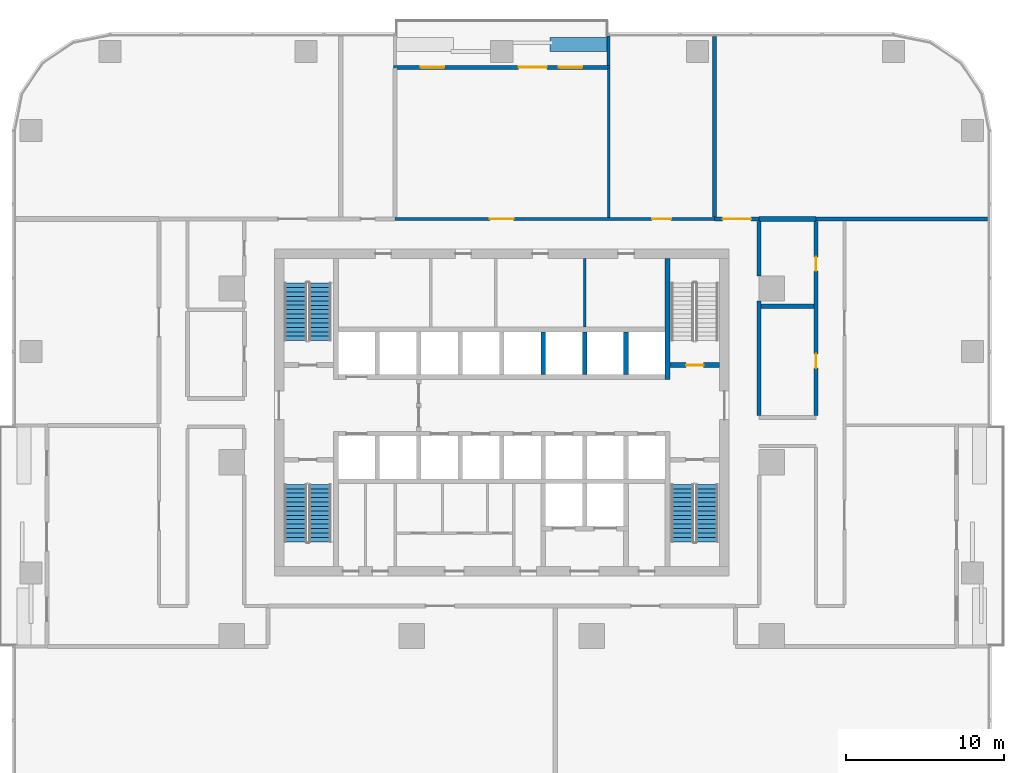
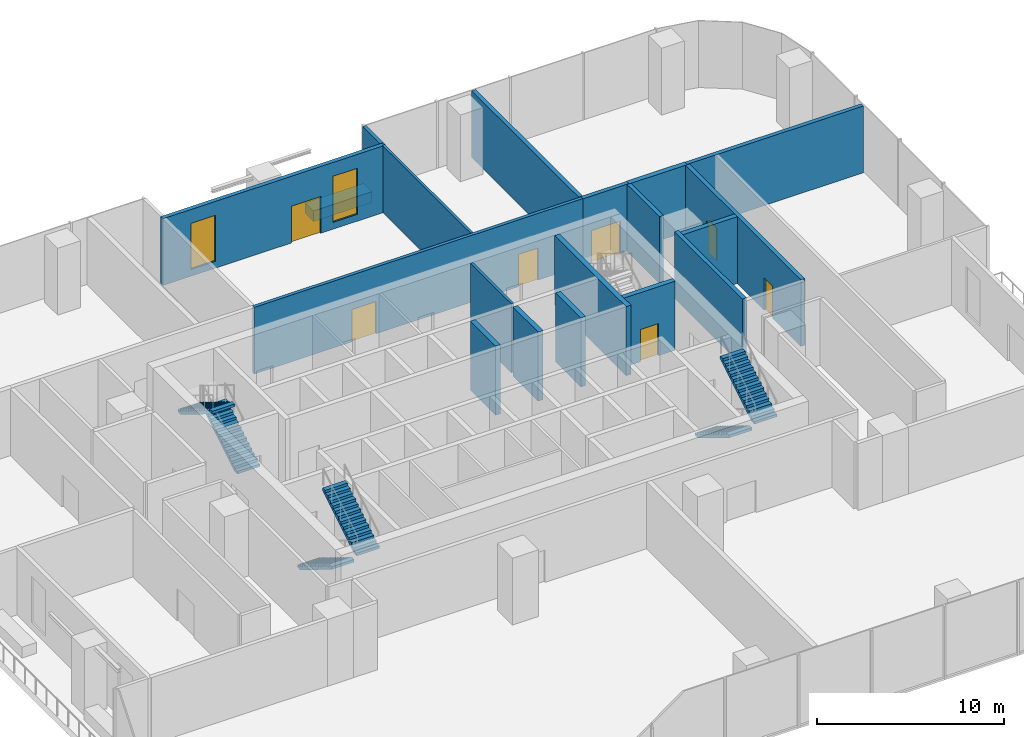
# One storey, part 10 of 14: 19 walls, 7 doors, 6 stair flights, 2 windows, 9 openings, 3 elements without a shape of their own.
"""IFC4 building model written with IfcOpenShell, lengths in metres."""

import ifcopenshell
import ifcopenshell.guid

model = None  # the IFC model being written
_history = None  # IfcOwnerHistory: only IFC2X3 demands one
_inside = {}  # id of a spatial element -> (the spatial element, [elements in it])
_under = {}  # id of a project, library or spatial element -> (it, [spatial elements below it])
_declared = {}  # id of a project -> (the project, [libraries it declares])
_typed = {}  # id of a type object -> (the type object, [elements of that type])
_made_of = {}  # id of a material, layer set ... -> (it, [elements and type objects made of it])


def new_model(schema):
    """Start an empty IFC model of exactly this schema.

    Asked for "IFC4X3", IfcOpenShell would pick the latest addendum, in which some entities
    have other attributes; the version numbers below select the first issue.
    IFC2X3 requires an IfcOwnerHistory on every rooted entity: one is made here for all.
    """
    global model, _history
    if schema == "IFC4X3":
        model = ifcopenshell.file(schema_version=(4, 3, 0, 0))
    else:
        model = ifcopenshell.file(schema=schema)
    _inside.clear()
    _under.clear()
    _declared.clear()
    _typed.clear()
    _made_of.clear()
    _history = None
    if model.schema == "IFC2X3":
        org = make("IfcOrganization", Name="unknown")
        user = make(
            "IfcPersonAndOrganization",
            ThePerson=make("IfcPerson", FamilyName="unknown"),
            TheOrganization=org,
        )
        app = make(
            "IfcApplication",
            ApplicationDeveloper=org,
            Version="unknown",
            ApplicationFullName="unknown",
            ApplicationIdentifier="unknown",
        )
        _history = make(
            "IfcOwnerHistory",
            OwningUser=user,
            OwningApplication=app,
            ChangeAction="ADDED",
            CreationDate=0,
        )
    return model


def make(cls, **values):
    """One entity of the class cls with the attributes given. An attribute that is None is left unset."""
    return model.create_entity(
        cls, **{name: value for name, value in values.items() if value is not None}
    )


def rooted(cls, **values):
    """An entity with a GlobalId (a new one), such as an element, a storey or a relation."""
    return make(cls, GlobalId=ifcopenshell.guid.new(), OwnerHistory=_history, **values)


def si_unit(unit_type, name, prefix=None):
    """IfcSIUnit, for example si_unit("LENGTHUNIT", "METRE", prefix="MILLI")."""
    return make("IfcSIUnit", UnitType=unit_type, Prefix=prefix, Name=name)


def assignment(units):
    """IfcUnitAssignment: the units of a project."""
    return None if units is None else make("IfcUnitAssignment", Units=units)


def point(xyz):
    """IfcCartesianPoint."""
    return None if xyz is None else make("IfcCartesianPoint", Coordinates=xyz)


def direction(xyz):
    """IfcDirection."""
    return None if xyz is None else make("IfcDirection", DirectionRatios=xyz)


def frame(location, z_axis=None, x_axis=None):
    """IfcAxis2Placement3D, a coordinate frame: its origin and axes. An axis left out is left unset."""
    return make(
        "IfcAxis2Placement3D",
        Location=point(location),
        Axis=direction(z_axis),
        RefDirection=direction(x_axis),
    )


def frame_2d(location, x_axis=None):
    """IfcAxis2Placement2D, a coordinate frame in the plane: its origin and x axis."""
    return make(
        "IfcAxis2Placement2D", Location=point(location), RefDirection=direction(x_axis)
    )


def origin():
    """The frame at (0, 0, 0) with its axes left unset."""
    return frame((0.0, 0.0, 0.0))


def place(relative_to, where):
    """IfcLocalPlacement: puts the frame where relative to a parent placement (None: the world)."""
    return make(
        "IfcLocalPlacement", PlacementRelTo=relative_to, RelativePlacement=where
    )


def context(
    kind, dimensions, precision=None, world=None, true_north=None, identifier=None
):
    """IfcGeometricRepresentationContext, for example the 3D "Model" context."""
    return make(
        "IfcGeometricRepresentationContext",
        ContextIdentifier=identifier,
        ContextType=kind,
        CoordinateSpaceDimension=dimensions,
        Precision=precision,
        WorldCoordinateSystem=world,
        TrueNorth=true_north,
    )


def subcontext(parent, identifier, kind, view, scale=None):
    """IfcGeometricRepresentationSubContext, for example "Body" below "Model"."""
    return make(
        "IfcGeometricRepresentationSubContext",
        ContextIdentifier=identifier,
        ContextType=kind,
        ParentContext=parent,
        TargetScale=scale,
        TargetView=view,
    )


def project(units=None, contexts=None):
    """IfcProject with its units and contexts."""
    return rooted(
        "IfcProject",
        Name="project",
        RepresentationContexts=contexts,
        UnitsInContext=assignment(units),
    )


def spatial(cls, under=None, at=None, **own):
    """A site, building, storey or space (cls), placed at a placement, below another one or the project."""
    s = rooted(cls, ObjectPlacement=at, **own)
    if under is not None:
        _under.setdefault(under.id(), (under, []))[1].append(s)
    return s


def polyline(points):
    """IfcPolyline through the points."""
    return make("IfcPolyline", Points=[point(p) for p in points])


def profile(cls, at=None, kind="AREA", **sizes):
    """A parametric profile (cls). Its sizes go by their IFC names, for example OverallWidth=200.0."""
    return make(cls, ProfileType=kind, Position=at, **sizes)


def rectangle(**sizes):
    """IfcRectangleProfileDef."""
    return profile("IfcRectangleProfileDef", **sizes)


def outline(outer, holes=None, kind="AREA"):
    """IfcArbitraryClosedProfileDef: a profile drawn as a closed curve; with holes, ...WithVoids."""
    if holes is None:
        return make("IfcArbitraryClosedProfileDef", ProfileType=kind, OuterCurve=outer)
    return make(
        "IfcArbitraryProfileDefWithVoids",
        ProfileType=kind,
        OuterCurve=outer,
        InnerCurves=holes,
    )


def extrude(swept, where, along, depth):
    """IfcExtrudedAreaSolid: the profile swept, set in the frame where, extruded along a direction by depth."""
    return make(
        "IfcExtrudedAreaSolid",
        SweptArea=swept,
        Position=where,
        ExtrudedDirection=direction(along),
        Depth=depth,
    )


def shape(context_of_items, identifier, shape_type, items):
    """IfcShapeRepresentation: the items that make up one representation, for example the "Body"."""
    return make(
        "IfcShapeRepresentation",
        ContextOfItems=context_of_items,
        RepresentationIdentifier=identifier,
        RepresentationType=shape_type,
        Items=items,
    )


def material(Name=None, Category=None):
    """IfcMaterial."""
    return make("IfcMaterial", Name=Name, Category=Category)


def layer(
    of_material, thickness, ventilated=None, Name=None, Category=None, Priority=None
):
    """IfcMaterialLayer: one layer of a wall or slab, of a material (None: an air gap)."""
    return make(
        "IfcMaterialLayer",
        Material=of_material,
        LayerThickness=thickness,
        IsVentilated=ventilated,
        Name=Name,
        Category=Category,
        Priority=Priority,
    )


def layer_set(layers, Name=None):
    """IfcMaterialLayerSet."""
    return make("IfcMaterialLayerSet", MaterialLayers=layers, LayerSetName=Name)


def made_of(thing, what):
    """Note that an element or type object is made of a material, layer set ...; save() writes the relation."""
    if what is not None:
        _made_of.setdefault(what.id(), (what, []))[1].append(thing)
    return thing


def type_object(cls, material=None, **own):
    """A type object (cls), such as IfcWallType, which elements share."""
    return made_of(rooted(cls, **own), material)


def element(
    cls,
    number,
    at=None,
    inside=None,
    cuts=None,
    type_object=None,
    material=None,
    context=None,
    identifier="Body",
    shape_type=None,
    held_by="IfcProductDefinitionShape",
    body=None,
    shapes=None,
    **own,
):
    """One element of the class cls, such as IfcWall. Its Tag is "e" and its number.

    at: its placement. inside: the storey or other place that contains it. cuts: it is an
    opening in that element (IfcRelVoidsElement). A single representation is given by context,
    identifier, shape_type and body (its items); several are given by shapes. held_by: the class
    of the entity that holds the representations. save() writes the other relations.
    """
    e = rooted(cls, Tag="e%d" % number, ObjectPlacement=at, **own)
    if body is not None:
        shapes = [shape(context, identifier, shape_type, body)]
    if shapes is not None:
        e.Representation = make(held_by, Representations=shapes)
    if inside is not None:
        _inside.setdefault(inside.id(), (inside, []))[1].append(e)
    if cuts is not None:
        rooted(
            "IfcRelVoidsElement", RelatingBuildingElement=cuts, RelatedOpeningElement=e
        )
    if type_object is not None:
        _typed.setdefault(type_object.id(), (type_object, []))[1].append(e)
    return made_of(e, material)


def fill(opening, filler):
    """IfcRelFillsElement: the door or window that sits in an opening."""
    return rooted(
        "IfcRelFillsElement",
        RelatingOpeningElement=opening,
        RelatedBuildingElement=filler,
    )


def aggregate(whole, parts):
    """IfcRelAggregates: a whole, such as a stair, and the parts it consists of."""
    return rooted("IfcRelAggregates", RelatingObject=whole, RelatedObjects=parts)


def save(model, path):
    """Write the relations noted so far, then the file.

    IfcRelAggregates (storeys below a building ...), IfcRelContainedInSpatialStructure (elements
    in a storey), IfcRelDefinesByType, IfcRelAssociatesMaterial and IfcRelDeclares: one each for
    every whole, place, type object, material and project.
    """
    for whole, parts in _under.values():
        aggregate(whole, parts)
    for where, things in _inside.values():
        rooted(
            "IfcRelContainedInSpatialStructure",
            RelatedElements=things,
            RelatingStructure=where,
        )
    for kind, things in _typed.values():
        rooted("IfcRelDefinesByType", RelatedObjects=things, RelatingType=kind)
    for what, things in _made_of.values():
        rooted("IfcRelAssociatesMaterial", RelatedObjects=things, RelatingMaterial=what)
    for by, libraries in _declared.values():
        rooted("IfcRelDeclares", RelatingContext=by, RelatedDefinitions=libraries)
    model.write(path)


model = new_model("IFC4")

# Units and contexts
model_context = context("Model", 3, precision=1e-05, world=origin(), true_north=direction((0.0, 1.0)))
body_context = subcontext(model_context, "Body", "Model", "MODEL_VIEW")
ifc_project = project(units=[si_unit("LENGTHUNIT", "METRE"), si_unit("AREAUNIT", "SQUARE_METRE"), si_unit("VOLUMEUNIT", "CUBIC_METRE"), si_unit("PLANEANGLEUNIT", "RADIAN"), si_unit("MASSUNIT", "GRAM", prefix="KILO")], contexts=[model_context])

# Site, building, storey
site_placement = place(None, origin())
site = spatial("IfcSite", under=ifc_project, at=site_placement, CompositionType="ELEMENT")
building_placement = place(site_placement, origin())
building = spatial("IfcBuilding", under=site, at=building_placement, Name="Mopane Tessera Tower", CompositionType="ELEMENT")
storey_placement = place(building_placement, frame((0.0, 0.0, 35.800048828125)))
storey = spatial("IfcBuildingStorey", under=building, at=storey_placement, Name="L06", CompositionType="ELEMENT", Elevation=35.800048828125)

# Walls
ifc_material_1 = material(Name="Fire-rated gypsum board partition")
ifc_layer_1 = layer(ifc_material_1, 0.14990234375)
ifc_layer_set_1 = layer_set([ifc_layer_1], Name="Fire-rated gypsum board partition")
wall_type_1 = type_object("IfcWallType", Name="Core room partition 150 mm", PredefinedType="PARTITIONING", material=ifc_layer_set_1)
wall_1_placement = place(storey_placement, frame((5.25, 8.550048828125, 0.0), z_axis=(0.0, 0.0, 1.0), x_axis=(0.0, 1.0, 0.0)))
element("IfcWall", 1, at=wall_1_placement, inside=storey, type_object=wall_type_1, Name="L06 Room partition", PredefinedType="PARTITIONING", context=body_context, shape_type="SweptSolid", body=[
    extrude(rectangle(XDim=4.349853515625, YDim=0.14990234375, at=frame_2d((2.1748046875, 0.0))), origin(), (0.0, 0.0, 1.0), 4.5),
])
ifc_material_2 = material(Name="Concrete C60/75", Category="concrete")
ifc_layer_2 = layer(ifc_material_2, 0.300048828125)
ifc_layer_set_2 = layer_set([ifc_layer_2], Name="Concrete C60/75")
wall_type_2 = type_object("IfcWallType", Name="Core spine wall 300 mm", PredefinedType="SHEAR", material=ifc_layer_set_2)
wall_2_placement = place(storey_placement, frame((10.5, 5.25, 0.0), z_axis=(0.0, 0.0, 1.0), x_axis=(0.0, 1.0, 0.0)))
element("IfcWall", 2, at=wall_2_placement, inside=storey, type_object=wall_type_2, Name="L06 Core spine wall", PredefinedType="SHEAR", context=body_context, shape_type="SweptSolid", body=[
    extrude(rectangle(XDim=7.64990234375, YDim=0.300048828125, at=frame_2d((3.824951171875, 0.0))), origin(), (0.0, 0.0, 1.0), 4.5),
])

# Wall, openings, doors
ifc_material_3 = material(Name="Gypsum board on steel studs, two layers each face, mineral wool infill", Category="steel")
ifc_layer_3 = layer(ifc_material_3, 0.199951171875)
ifc_layer_set_3 = layer_set([ifc_layer_3], Name="Gypsum board on steel studs, two layers each face, mineral wool infill")
wall_type_3 = type_object("IfcWallType", Name="Gypsum board corridor wall 200, rated EI 60", PredefinedType="PARTITIONING", material=ifc_layer_set_3)
wall_3_placement = place(storey_placement, frame((-6.764892578125, 15.39990234375, 0.0), z_axis=(0.0, 0.0, 1.0), x_axis=(1.0, 0.0, 0.0)))
wall_3 = element("IfcWall", 3, at=wall_3_placement, inside=storey, type_object=wall_type_3, Name="Partition L06:017", PredefinedType="PARTITIONING", context=body_context, shape_type="SweptSolid", body=[
    extrude(rectangle(XDim=20.244873046875, YDim=0.199951171875, at=frame_2d((10.12255859375, 0.0))), origin(), (0.0, 0.0, 1.0), 4.349853515625),
])
opening_1_placement = place(wall_3_placement, frame((6.014892578125, 0.0, 0.0)))
opening_1 = element("IfcOpeningElement", 4, at=opening_1_placement, cuts=wall_3, Name="Opening L06-04", PredefinedType="OPENING", context=body_context, shape_type="SweptSolid", body=[
    extrude(rectangle(XDim=1.5, YDim=2.10009765625, at=frame_2d((0.75, 1.050048828125))), frame((0.0, 0.112060546875, 0.0), z_axis=(0.0, -1.0, 0.0), x_axis=(1.0, 0.0, 0.0)), (0.0, 0.0, 1.0), 0.223876953125),
])
opening_2_placement = place(wall_3_placement, frame((16.28759765625, 0.0, 0.0)))
opening_2 = element("IfcOpeningElement", 5, at=opening_2_placement, cuts=wall_3, Name="Opening L06-15", PredefinedType="OPENING", context=body_context, shape_type="SweptSolid", body=[
    extrude(rectangle(XDim=1.199951171875, YDim=2.10009765625, at=frame_2d((0.60009765625, 1.050048828125))), frame((0.0, 0.112060546875, 0.0), z_axis=(0.0, -1.0, 0.0), x_axis=(1.0, 0.0, 0.0)), (0.0, 0.0, 1.0), 0.223876953125),
])
ifc_material_4 = material(Name="Timber veneered steel-framed fire door", Category="steel")
door_type_1 = type_object("IfcDoorType", Name="Fire door FD60 1200 x 2100", OperationType="SINGLE_SWING_LEFT", PredefinedType="DOOR", material=ifc_material_4)
door_1_placement = place(opening_2_placement, origin())
door_1 = element("IfcDoor", 6, at=door_1_placement, inside=storey, type_object=door_type_1, Name="Door L06-15", ObjectType="D15A", OperationType="SINGLE_SWING_RIGHT", OverallHeight=2.10009765625, OverallWidth=1.199951171875, PredefinedType="DOOR", context=body_context, shape_type="SweptSolid", body=[
    extrude(rectangle(XDim=1.199951171875, YDim=2.10009765625, at=frame_2d((0.60009765625, 1.050048828125))), frame((0.0, 0.02490234375, 0.0), z_axis=(0.0, -1.0, 0.0), x_axis=(1.0, 0.0, 0.0)), (0.0, 0.0, 1.0), 0.050048828125),
])
fill(opening_2, door_1)
ifc_material_5 = material(Name="Timber veneered steel-framed fire door", Category="steel")
door_type_2 = type_object("IfcDoorType", Name="Fire door pair FD60 1500 x 2100", OperationType="DOUBLE_DOOR_SINGLE_SWING", PredefinedType="DOOR", material=ifc_material_5)
door_2_placement = place(opening_1_placement, origin())
door_2 = element("IfcDoor", 7, at=door_2_placement, inside=storey, type_object=door_type_2, Name="Door L06-04", ObjectType="D17A", OperationType="DOUBLE_DOOR_SINGLE_SWING", OverallHeight=2.10009765625, OverallWidth=1.5, PredefinedType="DOOR", context=body_context, shape_type="SweptSolid", body=[
    extrude(rectangle(XDim=1.5, YDim=2.10009765625, at=frame_2d((0.75, 1.050048828125))), frame((0.0, 0.02490234375, 0.0), z_axis=(0.0, -1.0, 0.0), x_axis=(1.0, 0.0, 0.0)), (0.0, 0.0, 1.0), 0.050048828125),
])
fill(opening_1, door_2)

# Wall
ifc_material_6 = material(Name="Gypsum board on steel studs, mineral wool infill", Category="steel")
ifc_layer_4 = layer(ifc_material_6, 0.14990234375)
ifc_layer_set_4 = layer_set([ifc_layer_4], Name="Gypsum board on steel studs, mineral wool infill")
wall_type_4 = type_object("IfcWallType", Name="Gypsum board partition 150, rated EI 60", PredefinedType="PARTITIONING", material=ifc_layer_set_4)
wall_4_placement = place(storey_placement, frame((6.764892578125, 15.5, 0.0), z_axis=(0.0, 0.0, 1.0), x_axis=(0.0, 1.0, 0.0)))
element("IfcWall", 8, at=wall_4_placement, inside=storey, type_object=wall_type_4, Name="Partition L06:037", PredefinedType="PARTITIONING", context=body_context, shape_type="SweptSolid", body=[
    extrude(rectangle(XDim=9.449951171875, YDim=0.14990234375, at=frame_2d((4.72509765625, 0.0))), origin(), (0.0, 0.0, 1.0), 4.349853515625),
])

# Wall, opening, door
ifc_material_7 = material(Name="Concrete C50/60", Category="concrete")
ifc_layer_5 = layer(ifc_material_7, 0.300048828125)
ifc_layer_set_5 = layer_set([ifc_layer_5], Name="Concrete C50/60")
wall_type_5 = type_object("IfcWallType", Name="Lift and stair shaft wall 300 mm", PredefinedType="SOLIDWALL", material=ifc_layer_set_5)
wall_5_placement = place(storey_placement, frame((10.64990234375, 6.14990234375, 0.0), z_axis=(0.0, 0.0, 1.0), x_axis=(1.0, 0.0, 0.0)))
wall_5 = element("IfcWall", 9, at=wall_5_placement, inside=storey, type_object=wall_type_5, Name="L06 Stair enclosure wall", PredefinedType="SOLIDWALL", context=body_context, shape_type="SweptSolid", body=[
    extrude(rectangle(XDim=3.150146484375, YDim=0.300048828125, at=frame_2d((1.5751953125, 0.0))), origin(), (0.0, 0.0, 1.0), 4.5),
])
opening_3_placement = place(wall_5_placement, frame((1.02490234375, 0.0, 0.0)))
opening_3 = element("IfcOpeningElement", 10, at=opening_3_placement, cuts=wall_5, Name="Opening SD1", PredefinedType="OPENING", context=body_context, shape_type="SweptSolid", body=[
    extrude(rectangle(XDim=1.10009765625, YDim=2.10009765625, at=frame_2d((0.550048828125, 1.050048828125))), frame((0.0, 0.162109375, 0.0), z_axis=(0.0, -1.0, 0.0), x_axis=(1.0, 0.0, 0.0)), (0.0, 0.0, 1.0), 0.323974609375),
])
ifc_material_8 = material(Name="Steel fire door", Category="steel")
door_type_3 = type_object("IfcDoorType", Name="Stair fire door 1100 x 2100", OperationType="SINGLE_SWING_LEFT", PredefinedType="DOOR", material=ifc_material_8)
door_3_placement = place(opening_3_placement, origin())
door_3 = element("IfcDoor", 11, at=door_3_placement, inside=storey, type_object=door_type_3, Name="L06 Stair door ST4", OperationType="SINGLE_SWING_RIGHT", OverallHeight=2.10009765625, OverallWidth=1.10009765625, PredefinedType="DOOR", context=body_context, shape_type="SweptSolid", body=[
    extrude(rectangle(XDim=1.10009765625, YDim=2.10009765625, at=frame_2d((0.550048828125, 1.050048828125))), frame((0.0, 0.02490234375, 0.0), z_axis=(0.0, -1.0, 0.0), x_axis=(1.0, 0.0, 0.0)), (0.0, 0.0, 1.0), 0.050048828125),
])
fill(opening_3, door_3)

# Walls
for number, where, z_axis, x_axis, name in (
    (12, (2.625, 5.550048828125, 0.0), (0.0, 0.0, 1.0), (0.0, 1.0, 0.0), "L06 Lift shaft wall"),
    (13, (5.25, 5.550048828125, 0.0), (0.0, 0.0, 1.0), (0.0, 1.0, 0.0), "L06 Lift shaft wall"),
    (14, (7.875, 5.550048828125, 0.0), (0.0, 0.0, 1.0), (0.0, 1.0, 0.0), "L06 Lift shaft wall"),
):
    element("IfcWall", number, at=place(storey_placement, frame(where, z_axis=z_axis, x_axis=x_axis)), inside=storey, type_object=wall_type_5, Name=name, PredefinedType="SOLIDWALL", context=body_context, shape_type="SweptSolid", body=[
        extrude(rectangle(XDim=2.699951171875, YDim=0.300048828125, at=frame_2d((1.35009765625, 0.0))), origin(), (0.0, 0.0, 1.0), 4.5),
    ])
ifc_material_9 = material(Name="Reinforced concrete C32/40 with waterproofing", Category="concrete")
ifc_layer_6 = layer(ifc_material_9, 0.89990234375)
ifc_layer_set_6 = layer_set([ifc_layer_6], Name="Reinforced concrete C32/40 with waterproofing")
wall_type_6 = type_object("IfcWallType", Name="Planter trough 3600 x 900", PredefinedType="STANDARD", material=ifc_layer_set_6)
wall_6_placement = place(storey_placement, frame((6.66357421875, 26.449951171875, 0.0), z_axis=(0.0, 0.0, 1.0), x_axis=(-1.0, 0.0, 0.0)))
element("IfcWall", 15, at=wall_6_placement, inside=storey, type_object=wall_type_6, Name="e:nw:L06:N2:pl0", PredefinedType="STANDARD", context=body_context, shape_type="SweptSolid", body=[
    extrude(rectangle(XDim=3.599853515625, YDim=0.89990234375, at=frame_2d((1.7998046875, 0.0))), origin(), (0.0, 0.0, 1.0), 0.699951171875),
])
ifc_material_10 = material(Name="Plastered concrete blockwork C20/25", Category="masonry")
ifc_layer_7 = layer(ifc_material_10, 0.300048828125)
ifc_layer_set_7 = layer_set([ifc_layer_7], Name="Plastered concrete blockwork C20/25")
wall_type_7 = type_object("IfcWallType", Name="Plastered blockwork separation wall 300, rated EI 120", PredefinedType="PARTITIONING", material=ifc_layer_set_7)
wall_7_placement = place(storey_placement, frame((16.425048828125, 9.8701171875, 0.0), z_axis=(0.0, 0.0, 1.0), x_axis=(1.0, 0.0, 0.0)))
element("IfcWall", 16, at=wall_7_placement, inside=storey, type_object=wall_type_7, Name="Partition L06:016", PredefinedType="PARTITIONING", context=body_context, shape_type="SweptSolid", body=[
    extrude(rectangle(XDim=3.349853515625, YDim=0.300048828125, at=frame_2d((1.6748046875, 0.0))), origin(), (0.0, 0.0, 1.0), 4.349853515625),
])
wall_8_placement = place(storey_placement, frame((16.300048828125, 15.39990234375, 0.0), z_axis=(0.0, 0.0, 1.0), x_axis=(1.0, 0.0, 0.0)))
element("IfcWall", 17, at=wall_8_placement, inside=storey, type_object=wall_type_7, Name="Partition L06:022", PredefinedType="PARTITIONING", context=body_context, shape_type="SweptSolid", body=[
    extrude(rectangle(XDim=3.599853515625, YDim=0.300048828125, at=frame_2d((1.7998046875, 0.0))), origin(), (0.0, 0.0, 1.0), 4.349853515625),
])

# Wall, opening, door
ifc_material_11 = material(Name="Plastered concrete blockwork C20/25", Category="masonry")
ifc_layer_8 = layer(ifc_material_11, 0.25)
ifc_layer_set_8 = layer_set([ifc_layer_8], Name="Plastered concrete blockwork C20/25")
wall_type_8 = type_object("IfcWallType", Name="Plastered blockwork wall 250, rated EI 120", PredefinedType="PARTITIONING", material=ifc_layer_set_8)
wall_9_placement = place(storey_placement, frame((13.47998046875, 15.39990234375, 0.0), z_axis=(0.0, 0.0, 1.0), x_axis=(1.0, 0.0, 0.0)))
wall_9 = element("IfcWall", 18, at=wall_9_placement, inside=storey, type_object=wall_type_8, Name="Partition L06:019", PredefinedType="PARTITIONING", context=body_context, shape_type="SweptSolid", body=[
    extrude(rectangle(XDim=2.820068359375, YDim=0.25, at=frame_2d((1.41015625, 0.0))), origin(), (0.0, 0.0, 1.0), 4.349853515625),
])
opening_4_placement = place(wall_9_placement, frame((0.510009765625, 0.0, 0.0)))
opening_4 = element("IfcOpeningElement", 19, at=opening_4_placement, cuts=wall_9, Name="Opening L06-12", PredefinedType="OPENING", context=body_context, shape_type="SweptSolid", body=[
    extrude(rectangle(XDim=1.800048828125, YDim=2.10009765625, at=frame_2d((0.89990234375, 1.050048828125))), frame((0.0, 0.136962890625, 0.0), z_axis=(0.0, -1.0, 0.0), x_axis=(1.0, 0.0, 0.0)), (0.0, 0.0, 1.0), 0.27392578125),
])
ifc_material_12 = material(Name="Timber veneered steel-framed fire door", Category="steel")
door_type_4 = type_object("IfcDoorType", Name="Fire door pair FD120 1800 x 2100", OperationType="DOUBLE_DOOR_SINGLE_SWING", PredefinedType="DOOR", material=ifc_material_12)
door_4_placement = place(opening_4_placement, origin())
door_4 = element("IfcDoor", 20, at=door_4_placement, inside=storey, type_object=door_type_4, Name="Door L06-12", ObjectType="D20B", OperationType="DOUBLE_DOOR_SINGLE_SWING", OverallHeight=2.10009765625, OverallWidth=1.800048828125, PredefinedType="DOOR", context=body_context, shape_type="SweptSolid", body=[
    extrude(rectangle(XDim=1.800048828125, YDim=2.10009765625, at=frame_2d((0.89990234375, 1.050048828125))), frame((0.0, 0.02490234375, 0.0), z_axis=(0.0, -1.0, 0.0), x_axis=(1.0, 0.0, 0.0)), (0.0, 0.0, 1.0), 0.050048828125),
])
fill(opening_4, door_4)

# Walls
wall_10_placement = place(storey_placement, frame((19.89990234375, 15.39990234375, 0.0), z_axis=(0.0, 0.0, 1.0), x_axis=(1.0, 0.0, 0.0)))
element("IfcWall", 21, at=wall_10_placement, inside=storey, type_object=wall_type_8, Name="Partition L06:020", PredefinedType="PARTITIONING", context=body_context, shape_type="SweptSolid", body=[
    extrude(rectangle(XDim=10.85009765625, YDim=0.25, at=frame_2d((5.425048828125, 0.0))), origin(), (0.0, 0.0, 1.0), 4.349853515625),
])
wall_11_placement = place(storey_placement, frame((13.47998046875, 15.52490234375, 0.0), z_axis=(0.0, 0.0, 1.0), x_axis=(0.0, 1.0, 0.0)))
element("IfcWall", 22, at=wall_11_placement, inside=storey, type_object=wall_type_8, Name="Partition L06:038", PredefinedType="PARTITIONING", context=body_context, shape_type="SweptSolid", body=[
    extrude(rectangle(XDim=11.425048828125, YDim=0.25, at=frame_2d((5.71240234375, 0.0))), origin(), (0.0, 0.0, 1.0), 4.349853515625),
])
wall_12_placement = place(storey_placement, frame((16.300048828125, 2.949951171875, 0.0), z_axis=(0.0, 0.0, 1.0), x_axis=(0.0, 1.0, 0.0)))
element("IfcWall", 23, at=wall_12_placement, inside=storey, type_object=wall_type_8, Name="Partition L06:041", PredefinedType="PARTITIONING", context=body_context, shape_type="SweptSolid", body=[
    extrude(rectangle(XDim=7.25, YDim=0.25, at=frame_2d((3.625, 0.0))), origin(), (0.0, 0.0, 1.0), 4.349853515625),
])
wall_13_placement = place(storey_placement, frame((16.300048828125, 11.800048828125, 0.0), z_axis=(0.0, 0.0, 1.0), x_axis=(0.0, 1.0, 0.0)))
element("IfcWall", 24, at=wall_13_placement, inside=storey, type_object=wall_type_8, Name="Partition L06:042", PredefinedType="PARTITIONING", context=body_context, shape_type="SweptSolid", body=[
    extrude(rectangle(XDim=3.449951171875, YDim=0.25, at=frame_2d((1.72509765625, 0.0))), origin(), (0.0, 0.0, 1.0), 4.349853515625),
])

# Wall, openings, doors
wall_14_placement = place(storey_placement, frame((19.89990234375, 2.949951171875, 0.0), z_axis=(0.0, 0.0, 1.0), x_axis=(0.0, 1.0, 0.0)))
wall_14 = element("IfcWall", 25, at=wall_14_placement, inside=storey, type_object=wall_type_8, Name="Partition L06:044", PredefinedType="PARTITIONING", context=body_context, shape_type="SweptSolid", body=[
    extrude(rectangle(XDim=12.300048828125, YDim=0.25, at=frame_2d((6.14990234375, 0.0))), origin(), (0.0, 0.0, 1.0), 4.349853515625),
])
opening_5_placement = place(wall_14_placement, frame((9.159912109375, 0.0, 0.0)))
opening_5 = element("IfcOpeningElement", 26, at=opening_5_placement, cuts=wall_14, Name="Opening L06-02", PredefinedType="OPENING", context=body_context, shape_type="SweptSolid", body=[
    extrude(rectangle(XDim=0.89990234375, YDim=2.10009765625, at=frame_2d((0.449951171875, 1.050048828125))), frame((0.0, 0.136962890625, 0.0), z_axis=(0.0, -1.0, 0.0), x_axis=(1.0, 0.0, 0.0)), (0.0, 0.0, 1.0), 0.27392578125),
])
opening_6_placement = place(wall_14_placement, frame((3.010009765625, 0.0, 0.0)))
opening_6 = element("IfcOpeningElement", 27, at=opening_6_placement, cuts=wall_14, Name="Opening L06-11", PredefinedType="OPENING", context=body_context, shape_type="SweptSolid", body=[
    extrude(rectangle(XDim=0.89990234375, YDim=2.10009765625, at=frame_2d((0.449951171875, 1.050048828125))), frame((0.0, 0.136962890625, 0.0), z_axis=(0.0, -1.0, 0.0), x_axis=(1.0, 0.0, 0.0)), (0.0, 0.0, 1.0), 0.27392578125),
])
ifc_material_13 = material(Name="Timber veneered steel-framed fire door", Category="steel")
door_type_5 = type_object("IfcDoorType", Name="Fire door FD120 900 x 2100", OperationType="SINGLE_SWING_LEFT", PredefinedType="DOOR", material=ifc_material_13)
door_5_placement = place(opening_5_placement, origin())
door_5 = element("IfcDoor", 28, at=door_5_placement, inside=storey, type_object=door_type_5, Name="Door L06-02", ObjectType="D10B", OperationType="SINGLE_SWING_RIGHT", OverallHeight=2.10009765625, OverallWidth=0.89990234375, PredefinedType="DOOR", context=body_context, shape_type="SweptSolid", body=[
    extrude(rectangle(XDim=0.89990234375, YDim=2.10009765625, at=frame_2d((0.449951171875, 1.050048828125))), frame((0.0, 0.02490234375, 0.0), z_axis=(0.0, -1.0, 0.0), x_axis=(1.0, 0.0, 0.0)), (0.0, 0.0, 1.0), 0.050048828125),
])
fill(opening_5, door_5)
door_6_placement = place(opening_6_placement, origin())
door_6 = element("IfcDoor", 29, at=door_6_placement, inside=storey, type_object=door_type_5, Name="Door L06-11", ObjectType="D10B", OperationType="SINGLE_SWING_LEFT", OverallHeight=2.10009765625, OverallWidth=0.89990234375, PredefinedType="DOOR", context=body_context, shape_type="SweptSolid", body=[
    extrude(rectangle(XDim=0.89990234375, YDim=2.10009765625, at=frame_2d((0.449951171875, 1.050048828125))), frame((0.0, 0.02490234375, 0.0), z_axis=(0.0, -1.0, 0.0), x_axis=(1.0, 0.0, 0.0)), (0.0, 0.0, 1.0), 0.050048828125),
])
fill(opening_6, door_6)

# Wall
ifc_material_14 = material(Name="Blockwork with glazed tile facing", Category="masonry")
ifc_layer_9 = layer(ifc_material_14, 0.199951171875)
ifc_layer_set_9 = layer_set([ifc_layer_9], Name="Blockwork with glazed tile facing")
wall_type_9 = type_object("IfcWallType", Name="Terrace cheek wall 200", PredefinedType="STANDARD", material=ifc_layer_set_9)
wall_15_placement = place(storey_placement, frame((6.763671875, 27.0, 0.0), z_axis=(0.0, 0.0, 1.0), x_axis=(0.0, -1.0, 0.0)))
element("IfcWall", 30, at=wall_15_placement, inside=storey, type_object=wall_type_9, Name="e:nw:L06:N2:cheeka", PredefinedType="STANDARD", context=body_context, shape_type="SweptSolid", body=[
    extrude(rectangle(XDim=1.875, YDim=0.199951171875, at=frame_2d((0.9375, 0.0))), origin(), (0.0, 0.0, 1.0), 4.349853515625),
])

# Wall, openings, windows, door
ifc_material_15 = material(Name="Blockwork with ultramarine glazed tile facing", Category="masonry")
ifc_layer_10 = layer(ifc_material_15, 0.25)
ifc_layer_set_10 = layer_set([ifc_layer_10], Name="Blockwork with ultramarine glazed tile facing")
wall_type_10 = type_object("IfcWallType", Name="Tile-clad external wall 250, ultramarine", PredefinedType="STANDARD", material=ifc_layer_set_10)
wall_16_placement = place(storey_placement, frame((6.863525390625, 25.0, 0.0), z_axis=(0.0, 0.0, 1.0), x_axis=(-1.0, 0.0, 0.0)))
wall_16 = element("IfcWall", 31, at=wall_16_placement, inside=storey, type_object=wall_type_10, Name="e:nw:L06:N2:back", PredefinedType="STANDARD", context=body_context, shape_type="SweptSolid", body=[
    extrude(rectangle(XDim=13.72705078125, YDim=0.25, at=frame_2d((6.863525390625, 0.0))), origin(), (0.0, 0.0, 1.0), 4.349853515625),
])
opening_7_placement = place(wall_16_placement, frame((1.75, 0.0, 0.449951171875)))
opening_7 = element("IfcOpeningElement", 32, at=opening_7_placement, cuts=wall_16, Name="Opening NW062A", PredefinedType="OPENING", context=body_context, shape_type="SweptSolid", body=[
    extrude(rectangle(XDim=1.5, YDim=3.0, at=frame_2d((0.75, 1.5))), frame((0.0, 0.136962890625, 0.0), z_axis=(0.0, -1.0, 0.0), x_axis=(1.0, 0.0, 0.0)), (0.0, 0.0, 1.0), 0.27392578125),
])
opening_8_placement = place(wall_16_placement, frame((4.0, 0.0, 0.0)))
opening_8 = element("IfcOpeningElement", 33, at=opening_8_placement, cuts=wall_16, Name="Opening ND062", PredefinedType="OPENING", context=body_context, shape_type="SweptSolid", body=[
    extrude(rectangle(XDim=1.800048828125, YDim=2.39990234375, at=frame_2d((0.89990234375, 1.199951171875))), frame((0.0, 0.136962890625, 0.0), z_axis=(0.0, -1.0, 0.0), x_axis=(1.0, 0.0, 0.0)), (0.0, 0.0, 1.0), 0.27392578125),
])
opening_9_placement = place(wall_16_placement, frame((10.5, 0.0, 0.449951171875)))
opening_9 = element("IfcOpeningElement", 34, at=opening_9_placement, cuts=wall_16, Name="Opening NW062B", PredefinedType="OPENING", context=body_context, shape_type="SweptSolid", body=[
    extrude(rectangle(XDim=1.5, YDim=3.0, at=frame_2d((0.75, 1.5))), frame((0.0, 0.136962890625, 0.0), z_axis=(0.0, -1.0, 0.0), x_axis=(1.0, 0.0, 0.0)), (0.0, 0.0, 1.0), 0.27392578125),
])
ifc_material_16 = material(Name="Clear laminated glass", Category="glass")
window_type = type_object("IfcWindowType", Name="Fixed window 1500 x 3000", PartitioningType="SINGLE_PANEL", PredefinedType="WINDOW", material=ifc_material_16)
window_1_placement = place(opening_7_placement, origin())
window_1 = element("IfcWindow", 35, at=window_1_placement, inside=storey, type_object=window_type, Name="e:nw:L06:N2:win0", OverallHeight=3.0, OverallWidth=1.5, PartitioningType="SINGLE_PANEL", PredefinedType="WINDOW", context=body_context, shape_type="SweptSolid", body=[
    extrude(rectangle(XDim=1.5, YDim=3.0, at=frame_2d((0.75, 1.5))), frame((0.0, 0.030029296875, 0.0), z_axis=(0.0, -1.0, 0.0), x_axis=(1.0, 0.0, 0.0)), (0.0, 0.0, 1.0), 0.06005859375),
])
fill(opening_7, window_1)
window_2_placement = place(opening_9_placement, origin())
window_2 = element("IfcWindow", 36, at=window_2_placement, inside=storey, type_object=window_type, Name="e:nw:L06:N2:win2", OverallHeight=3.0, OverallWidth=1.5, PartitioningType="SINGLE_PANEL", PredefinedType="WINDOW", context=body_context, shape_type="SweptSolid", body=[
    extrude(rectangle(XDim=1.5, YDim=3.0, at=frame_2d((0.75, 1.5))), frame((0.0, 0.030029296875, 0.0), z_axis=(0.0, -1.0, 0.0), x_axis=(1.0, 0.0, 0.0)), (0.0, 0.0, 1.0), 0.06005859375),
])
fill(opening_9, window_2)
ifc_material_17 = material(Name="Aluminium and clear glass", Category="aluminium")
door_type_6 = type_object("IfcDoorType", Name="Terrace double door 1800 x 2400", OperationType="DOUBLE_DOOR_SINGLE_SWING", PredefinedType="DOOR", material=ifc_material_17)
door_7_placement = place(opening_8_placement, origin())
door_7 = element("IfcDoor", 37, at=door_7_placement, inside=storey, type_object=door_type_6, Name="e:nw:L06:N2:door", ObjectType="D1", OperationType="DOUBLE_DOOR_SINGLE_SWING", OverallHeight=2.39990234375, OverallWidth=1.800048828125, PredefinedType="DOOR", context=body_context, shape_type="SweptSolid", body=[
    extrude(rectangle(XDim=1.800048828125, YDim=2.39990234375, at=frame_2d((0.89990234375, 1.199951171875))), frame((0.0, 0.02490234375, 0.0), z_axis=(0.0, -1.0, 0.0), x_axis=(1.0, 0.0, 0.0)), (0.0, 0.0, 1.0), 0.050048828125),
])
fill(opening_8, door_7)

# Stair, stair flights
ifc_material_18 = material(Name="Concrete C50/60", Category="concrete")
stair_type = type_object("IfcStairType", Name="Escape stair 1400 mm, riser 171 mm", PredefinedType="HALF_TURN_STAIR", material=ifc_material_18)
stair_1_placement = place(storey_placement, origin())
stair_1 = element("IfcStair", 38, at=stair_1_placement, inside=storey, type_object=stair_type, Name="L06 Escape stair south-west", PredefinedType="HALF_TURN_STAIR")
ifc_material_19 = material(Name="Concrete C50/60", Category="concrete")
stair_flight_type = type_object("IfcStairFlightType", Name="Escape stair flight 1400 mm", PredefinedType="STRAIGHT", material=ifc_material_19)
stair_flight_1_placement = place(storey_placement, frame((-13.050048828125, -1.39990234375, 0.0), z_axis=(0.0, 0.0, 1.0), x_axis=(0.0, -1.0, 0.0)))
stair_flight_1 = element("IfcStairFlight", 39, at=stair_flight_1_placement, type_object=stair_flight_type, Name="ST1 flight 1", NumberOfRisers=14, NumberOfTreads=13, PredefinedType="STRAIGHT", RiserHeight=0.171428571, TreadLength=0.28, context=body_context, shape_type="SweptSolid", body=[
    extrude(outline(polyline([(0.0, 0.0), (0.0, 0.17138671875), (0.280029296875, 0.17138671875), (0.280029296875, 0.3427734375), (0.56005859375, 0.3427734375), (0.56005859375, 0.514404296875), (0.840087890625, 0.514404296875), (0.840087890625, 0.685791015625), (1.1201171875, 0.685791015625), (1.1201171875, 0.857177734375), (1.39990234375, 0.857177734375), (1.39990234375, 1.028564453125), (1.679931640625, 1.028564453125), (1.679931640625, 1.199951171875), (1.9599609375, 1.199951171875), (1.9599609375, 1.371337890625), (2.239990234375, 1.371337890625), (2.239990234375, 1.54296875), (2.52001953125, 1.54296875), (2.52001953125, 1.71435546875), (2.800048828125, 1.71435546875), (2.800048828125, 1.8857421875), (3.080078125, 1.8857421875), (3.080078125, 2.05712890625), (3.360107421875, 2.05712890625), (3.360107421875, 2.228515625), (3.639892578125, 2.228515625), (3.639892578125, 2.39990234375), (3.639892578125, 2.052734375), (0.287109375, 0.0), (0.0, 0.0)])), frame((0.0, 0.699951171875, 0.0), z_axis=(0.0, -1.0, 0.0), x_axis=(1.0, 0.0, 0.0)), (0.0, 0.0, 1.0), 1.39990234375),
])
stair_flight_2_placement = place(storey_placement, frame((-11.5, -5.0400390625, 2.39990234375), z_axis=(0.0, 0.0, 1.0), x_axis=(0.0, 1.0, 0.0)))
stair_flight_2 = element("IfcStairFlight", 40, at=stair_flight_2_placement, type_object=stair_flight_type, Name="ST1 flight 2", NumberOfRisers=14, NumberOfTreads=13, PredefinedType="STRAIGHT", RiserHeight=0.171428571, TreadLength=0.28, context=body_context, shape_type="SweptSolid", body=[
    extrude(outline(polyline([(0.0, 0.0), (0.0, 0.17138671875), (0.280029296875, 0.17138671875), (0.280029296875, 0.3427734375), (0.56005859375, 0.3427734375), (0.56005859375, 0.514404296875), (0.840087890625, 0.514404296875), (0.840087890625, 0.685791015625), (1.1201171875, 0.685791015625), (1.1201171875, 0.857177734375), (1.39990234375, 0.857177734375), (1.39990234375, 1.028564453125), (1.679931640625, 1.028564453125), (1.679931640625, 1.199951171875), (1.9599609375, 1.199951171875), (1.9599609375, 1.371337890625), (2.239990234375, 1.371337890625), (2.239990234375, 1.54296875), (2.52001953125, 1.54296875), (2.52001953125, 1.71435546875), (2.800048828125, 1.71435546875), (2.800048828125, 1.8857421875), (3.080078125, 1.8857421875), (3.080078125, 2.05712890625), (3.360107421875, 2.05712890625), (3.360107421875, 2.228515625), (3.639892578125, 2.228515625), (3.639892578125, 2.39990234375), (3.639892578125, 2.052734375), (0.287109375, 0.0), (0.0, 0.0)])), frame((0.0, 0.699951171875, 0.0), z_axis=(0.0, -1.0, 0.0), x_axis=(1.0, 0.0, 0.0)), (0.0, 0.0, 1.0), 1.39990234375),
])
aggregate(stair_1, [stair_flight_1, stair_flight_2])

stair_2_placement = place(storey_placement, origin())
stair_2 = element("IfcStair", 41, at=stair_2_placement, inside=storey, type_object=stair_type, Name="L06 Escape stair north-west", PredefinedType="HALF_TURN_STAIR")
stair_flight_3_placement = place(storey_placement, frame((-11.5, 7.699951171875, 0.0), z_axis=(0.0, 0.0, 1.0), x_axis=(0.0, 1.0, 0.0)))
stair_flight_3 = element("IfcStairFlight", 42, at=stair_flight_3_placement, type_object=stair_flight_type, Name="ST2 flight 1", NumberOfRisers=14, NumberOfTreads=13, PredefinedType="STRAIGHT", RiserHeight=0.171428571, TreadLength=0.28, context=body_context, shape_type="SweptSolid", body=[
    extrude(outline(polyline([(0.0, 0.0), (0.0, 0.17138671875), (0.280029296875, 0.17138671875), (0.280029296875, 0.3427734375), (0.56005859375, 0.3427734375), (0.56005859375, 0.514404296875), (0.840087890625, 0.514404296875), (0.840087890625, 0.685791015625), (1.1201171875, 0.685791015625), (1.1201171875, 0.857177734375), (1.39990234375, 0.857177734375), (1.39990234375, 1.028564453125), (1.679931640625, 1.028564453125), (1.679931640625, 1.199951171875), (1.9599609375, 1.199951171875), (1.9599609375, 1.371337890625), (2.239990234375, 1.371337890625), (2.239990234375, 1.54296875), (2.52001953125, 1.54296875), (2.52001953125, 1.71435546875), (2.800048828125, 1.71435546875), (2.800048828125, 1.8857421875), (3.080078125, 1.8857421875), (3.080078125, 2.05712890625), (3.360107421875, 2.05712890625), (3.360107421875, 2.228515625), (3.639892578125, 2.228515625), (3.639892578125, 2.39990234375), (3.639892578125, 2.052734375), (0.287109375, 0.0), (0.0, 0.0)])), frame((0.0, 0.699951171875, 0.0), z_axis=(0.0, -1.0, 0.0), x_axis=(1.0, 0.0, 0.0)), (0.0, 0.0, 1.0), 1.39990234375),
])
stair_flight_4_placement = place(storey_placement, frame((-13.050048828125, 11.340087890625, 2.39990234375), z_axis=(0.0, 0.0, 1.0), x_axis=(0.0, -1.0, 0.0)))
stair_flight_4 = element("IfcStairFlight", 43, at=stair_flight_4_placement, type_object=stair_flight_type, Name="ST2 flight 2", NumberOfRisers=14, NumberOfTreads=13, PredefinedType="STRAIGHT", RiserHeight=0.171428571, TreadLength=0.28, context=body_context, shape_type="SweptSolid", body=[
    extrude(outline(polyline([(0.0, 0.0), (0.0, 0.17138671875), (0.280029296875, 0.17138671875), (0.280029296875, 0.3427734375), (0.56005859375, 0.3427734375), (0.56005859375, 0.514404296875), (0.840087890625, 0.514404296875), (0.840087890625, 0.685791015625), (1.1201171875, 0.685791015625), (1.1201171875, 0.857177734375), (1.39990234375, 0.857177734375), (1.39990234375, 1.028564453125), (1.679931640625, 1.028564453125), (1.679931640625, 1.199951171875), (1.9599609375, 1.199951171875), (1.9599609375, 1.371337890625), (2.239990234375, 1.371337890625), (2.239990234375, 1.54296875), (2.52001953125, 1.54296875), (2.52001953125, 1.71435546875), (2.800048828125, 1.71435546875), (2.800048828125, 1.8857421875), (3.080078125, 1.8857421875), (3.080078125, 2.05712890625), (3.360107421875, 2.05712890625), (3.360107421875, 2.228515625), (3.639892578125, 2.228515625), (3.639892578125, 2.39990234375), (3.639892578125, 2.052734375), (0.287109375, 0.0), (0.0, 0.0)])), frame((0.0, 0.699951171875, 0.0), z_axis=(0.0, -1.0, 0.0), x_axis=(1.0, 0.0, 0.0)), (0.0, 0.0, 1.0), 1.39990234375),
])
aggregate(stair_2, [stair_flight_3, stair_flight_4])

stair_3_placement = place(storey_placement, origin())
stair_3 = element("IfcStair", 44, at=stair_3_placement, inside=storey, type_object=stair_type, Name="L06 Escape stair south-east", PredefinedType="HALF_TURN_STAIR")
stair_flight_5_placement = place(storey_placement, frame((11.449951171875, -1.39990234375, 0.0), z_axis=(0.0, 0.0, 1.0), x_axis=(0.0, -1.0, 0.0)))
stair_flight_5 = element("IfcStairFlight", 45, at=stair_flight_5_placement, type_object=stair_flight_type, Name="ST3 flight 1", NumberOfRisers=14, NumberOfTreads=13, PredefinedType="STRAIGHT", RiserHeight=0.171428571, TreadLength=0.28, context=body_context, shape_type="SweptSolid", body=[
    extrude(outline(polyline([(0.0, 0.0), (0.0, 0.17138671875), (0.280029296875, 0.17138671875), (0.280029296875, 0.3427734375), (0.56005859375, 0.3427734375), (0.56005859375, 0.514404296875), (0.840087890625, 0.514404296875), (0.840087890625, 0.685791015625), (1.1201171875, 0.685791015625), (1.1201171875, 0.857177734375), (1.39990234375, 0.857177734375), (1.39990234375, 1.028564453125), (1.679931640625, 1.028564453125), (1.679931640625, 1.199951171875), (1.9599609375, 1.199951171875), (1.9599609375, 1.371337890625), (2.239990234375, 1.371337890625), (2.239990234375, 1.54296875), (2.52001953125, 1.54296875), (2.52001953125, 1.71435546875), (2.800048828125, 1.71435546875), (2.800048828125, 1.8857421875), (3.080078125, 1.8857421875), (3.080078125, 2.05712890625), (3.360107421875, 2.05712890625), (3.360107421875, 2.228515625), (3.639892578125, 2.228515625), (3.639892578125, 2.39990234375), (3.639892578125, 2.052734375), (0.287109375, 0.0), (0.0, 0.0)])), frame((0.0, 0.699951171875, 0.0), z_axis=(0.0, -1.0, 0.0), x_axis=(1.0, 0.0, 0.0)), (0.0, 0.0, 1.0), 1.39990234375),
])
stair_flight_6_placement = place(storey_placement, frame((13.0, -5.0400390625, 2.39990234375), z_axis=(0.0, 0.0, 1.0), x_axis=(0.0, 1.0, 0.0)))
stair_flight_6 = element("IfcStairFlight", 46, at=stair_flight_6_placement, type_object=stair_flight_type, Name="ST3 flight 2", NumberOfRisers=14, NumberOfTreads=13, PredefinedType="STRAIGHT", RiserHeight=0.171428571, TreadLength=0.28, context=body_context, shape_type="SweptSolid", body=[
    extrude(outline(polyline([(0.0, 0.0), (0.0, 0.17138671875), (0.280029296875, 0.17138671875), (0.280029296875, 0.3427734375), (0.56005859375, 0.3427734375), (0.56005859375, 0.514404296875), (0.840087890625, 0.514404296875), (0.840087890625, 0.685791015625), (1.1201171875, 0.685791015625), (1.1201171875, 0.857177734375), (1.39990234375, 0.857177734375), (1.39990234375, 1.028564453125), (1.679931640625, 1.028564453125), (1.679931640625, 1.199951171875), (1.9599609375, 1.199951171875), (1.9599609375, 1.371337890625), (2.239990234375, 1.371337890625), (2.239990234375, 1.54296875), (2.52001953125, 1.54296875), (2.52001953125, 1.71435546875), (2.800048828125, 1.71435546875), (2.800048828125, 1.8857421875), (3.080078125, 1.8857421875), (3.080078125, 2.05712890625), (3.360107421875, 2.05712890625), (3.360107421875, 2.228515625), (3.639892578125, 2.228515625), (3.639892578125, 2.39990234375), (3.639892578125, 2.052734375), (0.287109375, 0.0), (0.0, 0.0)])), frame((0.0, 0.699951171875, 0.0), z_axis=(0.0, -1.0, 0.0), x_axis=(1.0, 0.0, 0.0)), (0.0, 0.0, 1.0), 1.39990234375),
])
aggregate(stair_3, [stair_flight_5, stair_flight_6])

save(model, "model.ifc")
